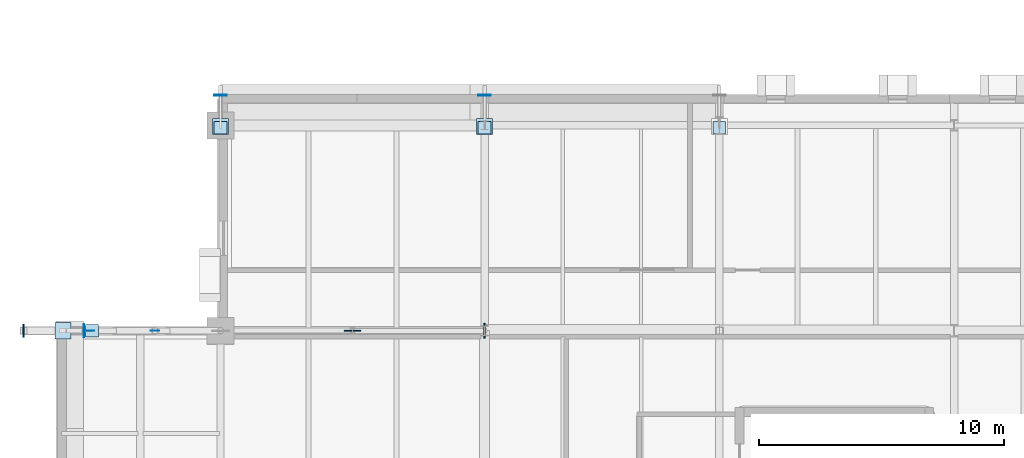
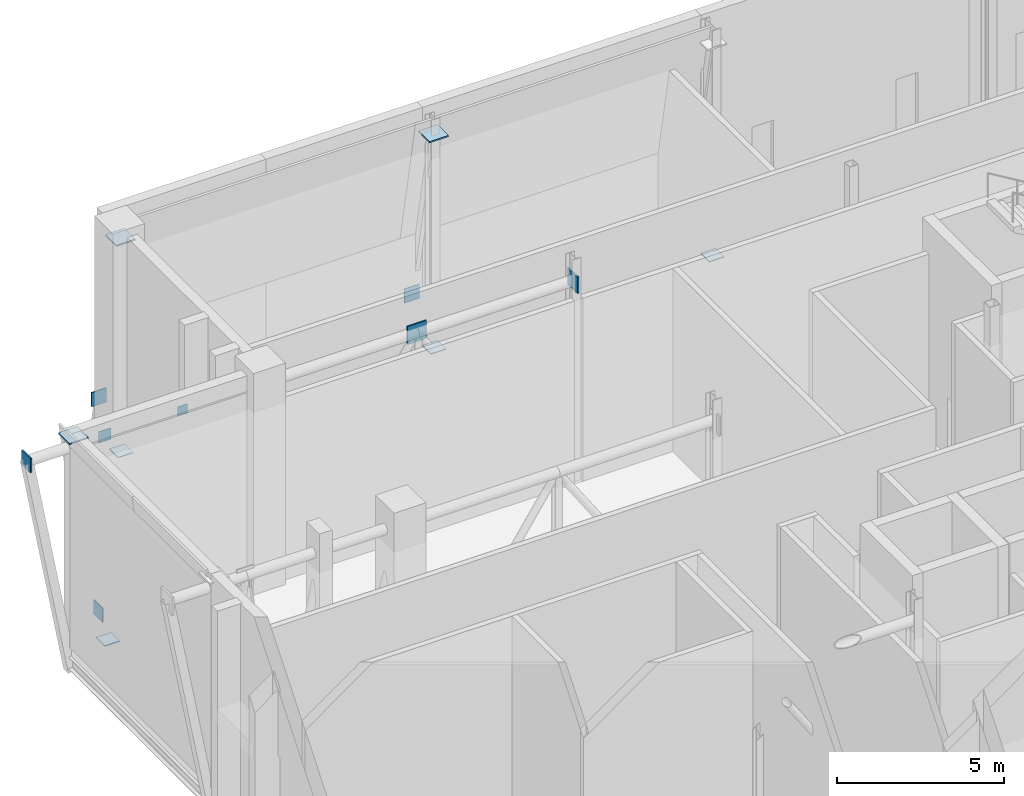
# One storey, part 44 of 79: 15 plates.
"""IFC4 building model written with IfcOpenShell, lengths in metres."""

from ifc_helpers import new_model, si_unit, direction, frame, origin, origin_2d, place, context, subcontext, project, spatial, rectangle, extrude, material, layer, layer_set, type_object, element, save


model = new_model("IFC4")

# Units and contexts
model_context = context("Model", 3, precision=1e-05, world=origin(), true_north=direction((0.0, 1.0)))
body_context = subcontext(model_context, "Body", "Model", "MODEL_VIEW")
ifc_project = project(units=[si_unit("LENGTHUNIT", "METRE"), si_unit("AREAUNIT", "SQUARE_METRE"), si_unit("VOLUMEUNIT", "CUBIC_METRE"), si_unit("PLANEANGLEUNIT", "RADIAN"), si_unit("MASSUNIT", "GRAM", prefix="KILO")], contexts=[model_context])

# Site, building, storey
site_placement = place(None, origin())
site = spatial("IfcSite", under=ifc_project, at=site_placement, CompositionType="ELEMENT")
building_placement = place(site_placement, origin())
building = spatial("IfcBuilding", under=site, at=building_placement, Name="Zereglee Splitstone Museum", CompositionType="ELEMENT")
storey_placement = place(building_placement, frame((0.0, 0.0, 9.0)))
storey = spatial("IfcBuildingStorey", under=building, at=storey_placement, Name="L02", CompositionType="ELEMENT", Elevation=9.0)

# Plates
ifc_material = material(Name="Steel S355J2", Category="steel")
ifc_layer_1 = layer(ifc_material, 0.011962890625)
ifc_layer_set_1 = layer_set([ifc_layer_1], Name="Steel S355J2")
plate_type_1 = type_object("IfcPlateType", Name="NP-06", PredefinedType="SHEET", material=ifc_layer_set_1)
plate_1_placement = place(storey_placement, frame((6.916748046875, 30.0, 7.02978515625), z_axis=(0.0, 0.0, 1.0), x_axis=(1.0, 0.0, 0.0)))
element("IfcPlate", 1, at=plate_1_placement, inside=storey, type_object=plate_type_1, Name="Cantilever Truss Node Plate CN-04", PredefinedType="SHEET", context=body_context, shape_type="SweptSolid", body=[
    extrude(rectangle(XDim=0.340087890625, YDim=0.011962890625, at=origin_2d()), origin(), (0.0, 0.0, 1.0), 0.340087890625),
])
ifc_layer_2 = layer(ifc_material, 0.02001953125)
ifc_layer_set_2 = layer_set([ifc_layer_2], Name="Steel S355J2")
plate_type_2 = type_object("IfcPlateType", Name="NP-05", PredefinedType="SHEET", material=ifc_layer_set_2)
plate_2_placement = place(storey_placement, frame((4.2333984375, 30.0, 6.989990234375), z_axis=(0.0, 0.0, 1.0), x_axis=(1.0, 0.0, 0.0)))
element("IfcPlate", 2, at=plate_2_placement, inside=storey, type_object=plate_type_2, Name="Cantilever Truss Node Plate CN-04", PredefinedType="SHEET", context=body_context, shape_type="SweptSolid", body=[
    extrude(rectangle(XDim=0.419921875, YDim=0.02001953125, at=origin_2d()), origin(), (0.0, 0.0, 1.0), 0.419921875),
])
ifc_layer_3 = layer(ifc_material, 0.030029296875)
ifc_layer_set_3 = layer_set([ifc_layer_3], Name="Steel S355J2")
plate_type_3 = type_object("IfcPlateType", Name="NP-04", PredefinedType="SHEET", material=ifc_layer_set_3)
plate_3_placement = place(storey_placement, frame((1.550048828125, 30.0, 6.93994140625), z_axis=(0.0, 0.0, 1.0), x_axis=(1.0, 0.0, 0.0)))
element("IfcPlate", 3, at=plate_3_placement, inside=storey, type_object=plate_type_3, Name="Cantilever Truss Node Plate CN-04", PredefinedType="SHEET", context=body_context, shape_type="SweptSolid", body=[
    extrude(rectangle(XDim=0.06005859375, YDim=0.52001953125, at=origin_2d()), origin(), (0.0, 0.0, 1.0), 0.52001953125),
])
plate_4_placement = place(storey_placement, frame((4.35009765625, 30.0, -0.294921875), z_axis=(0.0, 0.0, 1.0), x_axis=(1.0, 0.0, 0.0)))
element("IfcPlate", 4, at=plate_4_placement, inside=storey, type_object=plate_type_3, Name="Facet Tie Seal Plate FH-V1W-N", PredefinedType="SHEET", context=body_context, shape_type="SweptSolid", body=[
    extrude(rectangle(XDim=0.52001953125, YDim=0.52001953125, at=origin_2d()), origin(), (0.0, 0.0, 1.0), 0.030029296875),
])
plate_5_placement = place(storey_placement, frame((4.02294921875, 30.0, 0.619873046875), z_axis=(0.0, 0.0, 1.0), x_axis=(1.0, 0.0, 0.0)))
element("IfcPlate", 5, at=plate_5_placement, inside=storey, type_object=plate_type_3, Name="Facet Tie Seal Plate FH-V1W-N", PredefinedType="SHEET", context=body_context, shape_type="SweptSolid", body=[
    extrude(rectangle(XDim=0.030029296875, YDim=0.52001953125, at=origin_2d()), origin(), (0.0, 0.0, 1.0), 0.52001953125),
])
plate_6_placement = place(storey_placement, frame((9.60009765625, 38.300048828125, -0.294921875), z_axis=(0.0, 0.0, 1.0), x_axis=(1.0, 0.0, 0.0)))
element("IfcPlate", 6, at=plate_6_placement, inside=storey, type_object=plate_type_3, Name="Facet Tie Seal Plate FH-V1NL-N", PredefinedType="SHEET", context=body_context, shape_type="SweptSolid", body=[
    extrude(rectangle(XDim=0.52001953125, YDim=0.52001953125, at=origin_2d()), origin(), (0.0, 0.0, 1.0), 0.030029296875),
])
plate_7_placement = place(storey_placement, frame((9.60009765625, 39.633544921875, 0.619873046875), z_axis=(0.0, 0.0, 1.0), x_axis=(1.0, 0.0, 0.0)))
element("IfcPlate", 7, at=plate_7_placement, inside=storey, type_object=plate_type_3, Name="Facet Tie Seal Plate FH-V1NL-N", PredefinedType="SHEET", context=body_context, shape_type="SweptSolid", body=[
    extrude(rectangle(XDim=0.52001953125, YDim=0.030029296875, at=origin_2d()), origin(), (0.0, 0.0, 1.0), 0.52001953125),
])
plate_8_placement = place(storey_placement, frame((20.39990234375, 38.300048828125, -0.294921875), z_axis=(0.0, 0.0, 1.0), x_axis=(1.0, 0.0, 0.0)))
element("IfcPlate", 8, at=plate_8_placement, inside=storey, type_object=plate_type_3, Name="Facet Tie Seal Plate FH-V1NL-N", PredefinedType="SHEET", context=body_context, shape_type="SweptSolid", body=[
    extrude(rectangle(XDim=0.52001953125, YDim=0.52001953125, at=origin_2d()), origin(), (0.0, 0.0, 1.0), 0.030029296875),
])
plate_9_placement = place(storey_placement, frame((20.39990234375, 39.633544921875, 0.619873046875), z_axis=(0.0, 0.0, 1.0), x_axis=(1.0, 0.0, 0.0)))
element("IfcPlate", 9, at=plate_9_placement, inside=storey, type_object=plate_type_3, Name="Facet Tie Seal Plate FH-V1NL-N", PredefinedType="SHEET", context=body_context, shape_type="SweptSolid", body=[
    extrude(rectangle(XDim=0.52001953125, YDim=0.030029296875, at=origin_2d()), origin(), (0.0, 0.0, 1.0), 0.52001953125),
])
plate_10_placement = place(storey_placement, frame((30.0, 38.300048828125, -0.294921875), z_axis=(0.0, 0.0, 1.0), x_axis=(1.0, 0.0, 0.0)))
element("IfcPlate", 10, at=plate_10_placement, inside=storey, type_object=plate_type_3, Name="Facet Tie Seal Plate FH-V1NL-N", PredefinedType="SHEET", context=body_context, shape_type="SweptSolid", body=[
    extrude(rectangle(XDim=0.52001953125, YDim=0.52001953125, at=origin_2d()), origin(), (0.0, 0.0, 1.0), 0.030029296875),
])
ifc_layer_4 = layer(ifc_material, 0.0400390625)
ifc_layer_set_4 = layer_set([ifc_layer_4], Name="Steel S355J2")
plate_type_4 = type_object("IfcPlateType", Name="NP-03", PredefinedType="SHEET", material=ifc_layer_set_4)
plate_11_placement = place(storey_placement, frame((20.39990234375, 30.0, 6.89990234375), z_axis=(0.0, 0.0, 1.0), x_axis=(1.0, 0.0, 0.0)))
element("IfcPlate", 11, at=plate_11_placement, inside=storey, type_object=plate_type_4, Name="Cantilever Truss Node Plate CN-04", PredefinedType="SHEET", context=body_context, shape_type="SweptSolid", body=[
    extrude(rectangle(XDim=0.06005859375, YDim=0.60009765625, at=origin_2d()), origin(), (0.0, 0.0, 1.0), 0.60009765625),
])
ifc_layer_5 = layer(ifc_material, 0.050048828125)
ifc_layer_set_5 = layer_set([ifc_layer_5], Name="Steel S355J2")
plate_type_5 = type_object("IfcPlateType", Name="NP-02", PredefinedType="SHEET", material=ifc_layer_set_5)
plate_12_placement = place(storey_placement, frame((15.0, 30.0, 6.8701171875), z_axis=(0.0, 0.0, 1.0), x_axis=(1.0, 0.0, 0.0)))
element("IfcPlate", 12, at=plate_12_placement, inside=storey, type_object=plate_type_5, Name="Cantilever Truss Node Plate CN-04", PredefinedType="SHEET", context=body_context, shape_type="SweptSolid", body=[
    extrude(rectangle(XDim=0.659912109375, YDim=0.050048828125, at=origin_2d()), origin(), (0.0, 0.0, 1.0), 0.659912109375),
])
for number, where, z_axis, x_axis, name in (
    (13, (3.156982421875, 30.0, 7.544921875), (0.0, 0.0, 1.0), (1.0, 0.0, 0.0), "Facet Strut Seal Plate FH-V1W-N"),
    (14, (9.60009765625, 38.35107421875, 7.455078125), (0.0, 0.0, 1.0), (1.0, 0.0, 0.0), "Facet Strut Seal Plate FH-V1NL-N"),
    (15, (20.39990234375, 38.35107421875, 7.455078125), (0.0, 0.0, 1.0), (1.0, 0.0, 0.0), "Facet Strut Seal Plate FH-V1NL-N"),
):
    element("IfcPlate", number, at=place(storey_placement, frame(where, z_axis=z_axis, x_axis=x_axis)), inside=storey, type_object=plate_type_5, Name=name, PredefinedType="SHEET", context=body_context, shape_type="SweptSolid", body=[
        extrude(rectangle(XDim=0.659912109375, YDim=0.659912109375, at=origin_2d()), origin(), (0.0, 0.0, 1.0), 0.050048828125),
    ])

save(model, "model.ifc")
